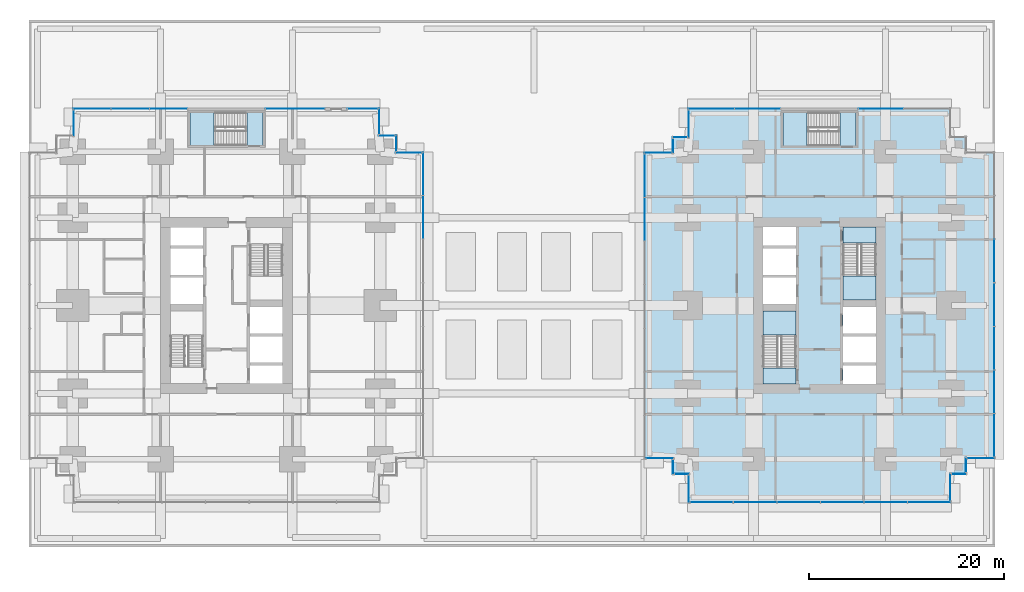
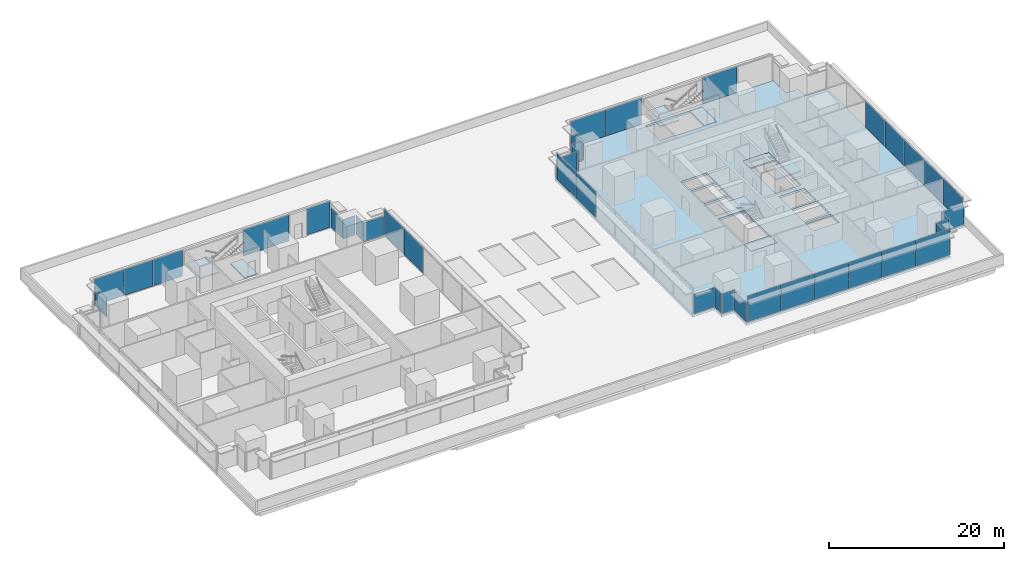
# One storey, part 22 of 34: 40 plates, 9 slabs, 30 elements without a shape of their own.
"""IFC4 building model written with IfcOpenShell, lengths in metres."""

from ifc_helpers import new_model, si_unit, direction, frame, origin, origin_2d, place, context, subcontext, project, spatial, polyline, rectangle, outline, extrude, material, layer, layer_set, type_object, element, aggregate, save


model = new_model("IFC4")

# Units and contexts
model_context = context("Model", 3, precision=1e-05, world=origin(), true_north=direction((0.0, 1.0)))
body_context = subcontext(model_context, "Body", "Model", "MODEL_VIEW")
ifc_project = project(units=[si_unit("LENGTHUNIT", "METRE"), si_unit("AREAUNIT", "SQUARE_METRE"), si_unit("VOLUMEUNIT", "CUBIC_METRE"), si_unit("PLANEANGLEUNIT", "RADIAN"), si_unit("MASSUNIT", "GRAM", prefix="KILO")], contexts=[model_context])

# Site, building, storey
site_placement = place(None, origin())
site = spatial("IfcSite", under=ifc_project, at=site_placement, CompositionType="ELEMENT")
building_placement = place(site_placement, origin())
building = spatial("IfcBuilding", under=site, at=building_placement, Name="Namib Vertical Campus", CompositionType="ELEMENT")
storey_placement = place(building_placement, frame((0.0, 0.0, 21.0)))
storey = spatial("IfcBuildingStorey", under=building, at=storey_placement, Name="L04", CompositionType="ELEMENT", Elevation=21.0)

# Curtain wall, plates
ifc_material_1 = material(Name="Black aluminium curtain wall", Category="aluminium")
ifc_layer_1 = layer(ifc_material_1, 0.199951171875)
ifc_layer_set_1 = layer_set([ifc_layer_1], Name="Lounge curtain wall CW-L4")
curtain_wall_type = type_object("IfcCurtainWallType", Name="Lounge curtain wall CW-L4", PredefinedType="USERDEFINED", material=ifc_layer_set_1)
curtain_wall_1_placement = place(storey_placement, origin())
curtain_wall_1 = element("IfcCurtainWall", 1, at=curtain_wall_1_placement, inside=storey, type_object=curtain_wall_type, Name="Curtain wall CW-L4 L04 F06-1", ObjectType="CURTAIN WALL", PredefinedType="USERDEFINED")
ifc_material_2 = material(Name="Dark tinted glass", Category="glass")
ifc_layer_2 = layer(ifc_material_2, 0.028076171875)
ifc_layer_set_2 = layer_set([ifc_layer_2], Name="Dark solar glass panel 28")
plate_type = type_object("IfcPlateType", Name="Dark solar glass panel 28", PredefinedType="CURTAIN_PANEL", material=ifc_layer_set_2)
plate_1_placement = place(storey_placement, frame((40.39990234375, 29.29296875, 0.06005859375), z_axis=(0.0, 0.0, 1.0), x_axis=(0.0, 1.0, 0.0)))
plate_1 = element("IfcPlate", 2, at=plate_1_placement, type_object=plate_type, Name="CW-L4 panel 6.1", PredefinedType="CURTAIN_PANEL", context=body_context, shape_type="SweptSolid", body=[
    extrude(rectangle(XDim=4.411376953125, YDim=0.028076171875, at=origin_2d()), origin(), (0.0, 0.0, 1.0), 3.6298828125),
])
plate_2_placement = place(storey_placement, frame((40.39990234375, 33.749267578125, 0.06005859375), z_axis=(0.0, 0.0, 1.0), x_axis=(0.0, 1.0, 0.0)))
plate_2 = element("IfcPlate", 3, at=plate_2_placement, type_object=plate_type, Name="CW-L4 panel 7.1", PredefinedType="CURTAIN_PANEL", context=body_context, shape_type="SweptSolid", body=[
    extrude(rectangle(XDim=4.38134765625, YDim=0.028076171875, at=origin_2d()), origin(), (0.0, 0.0, 1.0), 3.6298828125),
])
aggregate(curtain_wall_1, [plate_1, plate_2])

# Curtain wall, plate
curtain_wall_2_placement = place(storey_placement, origin())
curtain_wall_2 = element("IfcCurtainWall", 4, at=curtain_wall_2_placement, inside=storey, type_object=curtain_wall_type, Name="Curtain wall CW-L4 L04 F07-1", ObjectType="CURTAIN WALL", PredefinedType="USERDEFINED")
plate_3_placement = place(storey_placement, frame((38.925048828125, 35.89990234375, 0.06005859375), z_axis=(0.0, 0.0, 1.0), x_axis=(-1.0, 0.0, 0.0)))
plate_3 = element("IfcPlate", 5, at=plate_3_placement, type_object=plate_type, Name="CW-L4 panel 1.1", PredefinedType="CURTAIN_PANEL", context=body_context, shape_type="SweptSolid", body=[
    extrude(rectangle(XDim=2.6298828125, YDim=0.028076171875, at=origin_2d()), origin(), (0.0, 0.0, 1.0), 2.72998046875),
])
aggregate(curtain_wall_2, [plate_3])

curtain_wall_3_placement = place(storey_placement, origin())
curtain_wall_3 = element("IfcCurtainWall", 6, at=curtain_wall_3_placement, inside=storey, type_object=curtain_wall_type, Name="Curtain wall CW-L4 L04 F08-1", ObjectType="CURTAIN WALL", PredefinedType="USERDEFINED")
plate_4_placement = place(storey_placement, frame((37.64990234375, 36.875, 0.06005859375), z_axis=(0.0, 0.0, 1.0), x_axis=(0.0, 1.0, 0.0)))
plate_4 = element("IfcPlate", 7, at=plate_4_placement, type_object=plate_type, Name="CW-L4 panel 1.1", PredefinedType="CURTAIN_PANEL", context=body_context, shape_type="SweptSolid", body=[
    extrude(rectangle(XDim=1.6298828125, YDim=0.028076171875, at=origin_2d()), origin(), (0.0, 0.0, 1.0), 2.72998046875),
])
aggregate(curtain_wall_3, [plate_4])

curtain_wall_4_placement = place(storey_placement, origin())
curtain_wall_4 = element("IfcCurtainWall", 8, at=curtain_wall_4_placement, inside=storey, type_object=curtain_wall_type, Name="Curtain wall CW-L4 L04 F09-1", ObjectType="CURTAIN WALL", PredefinedType="USERDEFINED")
plate_5_placement = place(storey_placement, frame((36.675048828125, 37.64990234375, 0.06005859375), z_axis=(0.0, 0.0, 1.0), x_axis=(-1.0, 0.0, 0.0)))
plate_5 = element("IfcPlate", 9, at=plate_5_placement, type_object=plate_type, Name="CW-L4 panel 1.1", PredefinedType="CURTAIN_PANEL", context=body_context, shape_type="SweptSolid", body=[
    extrude(rectangle(XDim=1.6298828125, YDim=0.028076171875, at=origin_2d()), origin(), (0.0, 0.0, 1.0), 2.72998046875),
])
aggregate(curtain_wall_4, [plate_5])

curtain_wall_5_placement = place(storey_placement, origin())
curtain_wall_5 = element("IfcCurtainWall", 10, at=curtain_wall_5_placement, inside=storey, type_object=curtain_wall_type, Name="Curtain wall CW-L4 L04 F10-1", ObjectType="CURTAIN WALL", PredefinedType="USERDEFINED")
plate_6_placement = place(storey_placement, frame((35.89990234375, 39.125, 0.06005859375), z_axis=(0.0, 0.0, 1.0), x_axis=(0.0, 1.0, 0.0)))
plate_6 = element("IfcPlate", 11, at=plate_6_placement, type_object=plate_type, Name="CW-L4 panel 1.1", PredefinedType="CURTAIN_PANEL", context=body_context, shape_type="SweptSolid", body=[
    extrude(rectangle(XDim=2.6298828125, YDim=0.028076171875, at=origin_2d()), origin(), (0.0, 0.0, 1.0), 2.72998046875),
])
aggregate(curtain_wall_5, [plate_6])

curtain_wall_6_placement = place(storey_placement, origin())
curtain_wall_6 = element("IfcCurtainWall", 12, at=curtain_wall_6_placement, inside=storey, type_object=curtain_wall_type, Name="Curtain wall CW-L4 L04 F11-1", ObjectType="CURTAIN WALL", PredefinedType="USERDEFINED")
plate_7_placement = place(storey_placement, frame((34.21240234375, 40.39990234375, 0.06005859375), z_axis=(0.0, 0.0, 1.0), x_axis=(-1.0, 0.0, 0.0)))
plate_7 = element("IfcPlate", 13, at=plate_7_placement, type_object=plate_type, Name="CW-L4 panel 1.1", PredefinedType="CURTAIN_PANEL", context=body_context, shape_type="SweptSolid", body=[
    extrude(rectangle(XDim=3.054931640625, YDim=0.028076171875, at=origin_2d()), origin(), (0.0, 0.0, 1.0), 3.6298828125),
])
aggregate(curtain_wall_6, [plate_7])

curtain_wall_7_placement = place(storey_placement, origin())
curtain_wall_7 = element("IfcCurtainWall", 14, at=curtain_wall_7_placement, inside=storey, type_object=curtain_wall_type, Name="Curtain wall CW-L4 L04 F11-2", ObjectType="CURTAIN WALL", PredefinedType="USERDEFINED")
plate_8_placement = place(storey_placement, frame((27.28759765625, 40.39990234375, 0.06005859375), z_axis=(0.0, 0.0, 1.0), x_axis=(-1.0, 0.0, 0.0)))
plate_8 = element("IfcPlate", 15, at=plate_8_placement, type_object=plate_type, Name="CW-L4 panel 1.1", PredefinedType="CURTAIN_PANEL", context=body_context, shape_type="SweptSolid", body=[
    extrude(rectangle(XDim=6.054931640625, YDim=0.028076171875, at=origin_2d()), origin(), (0.0, 0.0, 1.0), 3.6298828125),
])
aggregate(curtain_wall_7, [plate_8])

# Curtain wall, plates
curtain_wall_8_placement = place(storey_placement, origin())
curtain_wall_8 = element("IfcCurtainWall", 16, at=curtain_wall_8_placement, inside=storey, type_object=curtain_wall_type, Name="Curtain wall CW-L4 L04 F11-3", ObjectType="CURTAIN WALL", PredefinedType="USERDEFINED")
plate_9_placement = place(storey_placement, frame((14.318359375, 40.39990234375, 0.06005859375), z_axis=(0.0, 0.0, 1.0), x_axis=(-1.0, 0.0, 0.0)))
plate_9 = element("IfcPlate", 17, at=plate_9_placement, type_object=plate_type, Name="CW-L4 panel 1.1", PredefinedType="CURTAIN_PANEL", context=body_context, shape_type="SweptSolid", body=[
    extrude(rectangle(XDim=3.84326171875, YDim=0.028076171875, at=origin_2d()), origin(), (0.0, 0.0, 1.0), 3.6298828125),
])
plate_10_placement = place(storey_placement, frame((10.39990234375, 40.39990234375, 0.06005859375), z_axis=(0.0, 0.0, 1.0), x_axis=(-1.0, 0.0, 0.0)))
plate_10 = element("IfcPlate", 18, at=plate_10_placement, type_object=plate_type, Name="CW-L4 panel 2.1", PredefinedType="CURTAIN_PANEL", context=body_context, shape_type="SweptSolid", body=[
    extrude(rectangle(XDim=3.873291015625, YDim=0.028076171875, at=origin_2d()), origin(), (0.0, 0.0, 1.0), 3.6298828125),
])
plate_11_placement = place(storey_placement, frame((6.481689453125, 40.39990234375, 0.06005859375), z_axis=(0.0, 0.0, 1.0), x_axis=(-1.0, 0.0, 0.0)))
plate_11 = element("IfcPlate", 19, at=plate_11_placement, type_object=plate_type, Name="CW-L4 panel 3.1", PredefinedType="CURTAIN_PANEL", context=body_context, shape_type="SweptSolid", body=[
    extrude(rectangle(XDim=3.84326171875, YDim=0.028076171875, at=origin_2d()), origin(), (0.0, 0.0, 1.0), 3.6298828125),
])
aggregate(curtain_wall_8, [plate_9, plate_10, plate_11])

# Curtain wall, plate
curtain_wall_9_placement = place(storey_placement, origin())
curtain_wall_9 = element("IfcCurtainWall", 20, at=curtain_wall_9_placement, inside=storey, type_object=curtain_wall_type, Name="Curtain wall CW-L4 L04 F12-1", ObjectType="CURTAIN WALL", PredefinedType="USERDEFINED")
plate_12_placement = place(storey_placement, frame((4.60009765625, 38.925048828125, 0.06005859375), z_axis=(0.0, 0.0, 1.0), x_axis=(0.0, -1.0, 0.0)))
plate_12 = element("IfcPlate", 21, at=plate_12_placement, type_object=plate_type, Name="CW-L4 panel 1.1", PredefinedType="CURTAIN_PANEL", context=body_context, shape_type="SweptSolid", body=[
    extrude(rectangle(XDim=2.6298828125, YDim=0.028076171875, at=origin_2d()), origin(), (0.0, 0.0, 1.0), 2.72998046875),
])
aggregate(curtain_wall_9, [plate_12])

# Curtain wall, plates
curtain_wall_10_placement = place(storey_placement, origin())
curtain_wall_10 = element("IfcCurtainWall", 22, at=curtain_wall_10_placement, inside=storey, type_object=curtain_wall_type, Name="Curtain wall CW-L4 L04 F01-1", ObjectType="CURTAIN WALL", PredefinedType="USERDEFINED")
plate_13_placement = place(storey_placement, frame((69.9482421875, 0.10009765625, 0.06005859375), z_axis=(0.0, 0.0, 1.0), x_axis=(1.0, 0.0, 0.0)))
plate_13 = element("IfcPlate", 23, at=plate_13_placement, type_object=plate_type, Name="CW-L4 panel 1.1", PredefinedType="CURTAIN_PANEL", context=body_context, shape_type="SweptSolid", body=[
    extrude(rectangle(XDim=4.376708984375, YDim=0.028076171875, at=origin_2d()), origin(), (0.0, 0.0, 1.0), 3.6298828125),
])
plate_14_placement = place(storey_placement, frame((74.39990234375, 0.10009765625, 0.06005859375), z_axis=(0.0, 0.0, 1.0), x_axis=(1.0, 0.0, 0.0)))
plate_14 = element("IfcPlate", 24, at=plate_14_placement, type_object=plate_type, Name="CW-L4 panel 2.1", PredefinedType="CURTAIN_PANEL", context=body_context, shape_type="SweptSolid", body=[
    extrude(rectangle(XDim=4.40673828125, YDim=0.028076171875, at=origin_2d()), origin(), (0.0, 0.0, 1.0), 3.6298828125),
])
plate_15_placement = place(storey_placement, frame((78.86669921875, 0.10009765625, 0.06005859375), z_axis=(0.0, 0.0, 1.0), x_axis=(1.0, 0.0, 0.0)))
plate_15 = element("IfcPlate", 25, at=plate_15_placement, type_object=plate_type, Name="CW-L4 panel 3.1", PredefinedType="CURTAIN_PANEL", context=body_context, shape_type="SweptSolid", body=[
    extrude(rectangle(XDim=4.40673828125, YDim=0.028076171875, at=origin_2d()), origin(), (0.0, 0.0, 1.0), 3.6298828125),
])
plate_16_placement = place(storey_placement, frame((83.333251953125, 0.10009765625, 0.06005859375), z_axis=(0.0, 0.0, 1.0), x_axis=(1.0, 0.0, 0.0)))
plate_16 = element("IfcPlate", 26, at=plate_16_placement, type_object=plate_type, Name="CW-L4 panel 4.1", PredefinedType="CURTAIN_PANEL", context=body_context, shape_type="SweptSolid", body=[
    extrude(rectangle(XDim=4.40673828125, YDim=0.028076171875, at=origin_2d()), origin(), (0.0, 0.0, 1.0), 3.6298828125),
])
plate_17_placement = place(storey_placement, frame((87.800048828125, 0.10009765625, 0.06005859375), z_axis=(0.0, 0.0, 1.0), x_axis=(1.0, 0.0, 0.0)))
plate_17 = element("IfcPlate", 27, at=plate_17_placement, type_object=plate_type, Name="CW-L4 panel 5.1", PredefinedType="CURTAIN_PANEL", context=body_context, shape_type="SweptSolid", body=[
    extrude(rectangle(XDim=4.40673828125, YDim=0.028076171875, at=origin_2d()), origin(), (0.0, 0.0, 1.0), 3.6298828125),
])
plate_18_placement = place(storey_placement, frame((92.251708984375, 0.10009765625, 0.06005859375), z_axis=(0.0, 0.0, 1.0), x_axis=(1.0, 0.0, 0.0)))
plate_18 = element("IfcPlate", 28, at=plate_18_placement, type_object=plate_type, Name="CW-L4 panel 6.1", PredefinedType="CURTAIN_PANEL", context=body_context, shape_type="SweptSolid", body=[
    extrude(rectangle(XDim=4.376708984375, YDim=0.028076171875, at=origin_2d()), origin(), (0.0, 0.0, 1.0), 3.6298828125),
])
aggregate(curtain_wall_10, [plate_13, plate_14, plate_15, plate_16, plate_17, plate_18])

# Curtain wall, plate
curtain_wall_11_placement = place(storey_placement, origin())
curtain_wall_11 = element("IfcCurtainWall", 29, at=curtain_wall_11_placement, inside=storey, type_object=curtain_wall_type, Name="Curtain wall CW-L4 L04 F02-1", ObjectType="CURTAIN WALL", PredefinedType="USERDEFINED")
plate_19_placement = place(storey_placement, frame((94.39990234375, 1.64990234375, 0.06005859375), z_axis=(0.0, 0.0, 1.0), x_axis=(0.0, 1.0, 0.0)))
plate_19 = element("IfcPlate", 30, at=plate_19_placement, type_object=plate_type, Name="CW-L4 panel 1.1", PredefinedType="CURTAIN_PANEL", context=body_context, shape_type="SweptSolid", body=[
    extrude(rectangle(XDim=2.780029296875, YDim=0.028076171875, at=origin_2d()), origin(), (0.0, 0.0, 1.0), 2.72998046875),
])
aggregate(curtain_wall_11, [plate_19])

curtain_wall_12_placement = place(storey_placement, origin())
curtain_wall_12 = element("IfcCurtainWall", 31, at=curtain_wall_12_placement, inside=storey, type_object=curtain_wall_type, Name="Curtain wall CW-L4 L04 F03-1", ObjectType="CURTAIN WALL", PredefinedType="USERDEFINED")
plate_20_placement = place(storey_placement, frame((95.300048828125, 3.0, 0.06005859375), z_axis=(0.0, 0.0, 1.0), x_axis=(1.0, 0.0, 0.0)))
plate_20 = element("IfcPlate", 32, at=plate_20_placement, type_object=plate_type, Name="CW-L4 panel 1.1", PredefinedType="CURTAIN_PANEL", context=body_context, shape_type="SweptSolid", body=[
    extrude(rectangle(XDim=1.47998046875, YDim=0.028076171875, at=origin_2d()), origin(), (0.0, 0.0, 1.0), 2.72998046875),
])
aggregate(curtain_wall_12, [plate_20])

curtain_wall_13_placement = place(storey_placement, origin())
curtain_wall_13 = element("IfcCurtainWall", 33, at=curtain_wall_13_placement, inside=storey, type_object=curtain_wall_type, Name="Curtain wall CW-L4 L04 F04-1", ObjectType="CURTAIN WALL", PredefinedType="USERDEFINED")
plate_21_placement = place(storey_placement, frame((96.0, 3.89990234375, 0.06005859375), z_axis=(0.0, 0.0, 1.0), x_axis=(0.0, 1.0, 0.0)))
plate_21 = element("IfcPlate", 34, at=plate_21_placement, type_object=plate_type, Name="CW-L4 panel 1.1", PredefinedType="CURTAIN_PANEL", context=body_context, shape_type="SweptSolid", body=[
    extrude(rectangle(XDim=1.47998046875, YDim=0.028076171875, at=origin_2d()), origin(), (0.0, 0.0, 1.0), 2.72998046875),
])
aggregate(curtain_wall_13, [plate_21])

curtain_wall_14_placement = place(storey_placement, origin())
curtain_wall_14 = element("IfcCurtainWall", 35, at=curtain_wall_14_placement, inside=storey, type_object=curtain_wall_type, Name="Curtain wall CW-L4 L04 F05-1", ObjectType="CURTAIN WALL", PredefinedType="USERDEFINED")
plate_22_placement = place(storey_placement, frame((97.550048828125, 4.60009765625, 0.06005859375), z_axis=(0.0, 0.0, 1.0), x_axis=(1.0, 0.0, 0.0)))
plate_22 = element("IfcPlate", 36, at=plate_22_placement, type_object=plate_type, Name="CW-L4 panel 1.1", PredefinedType="CURTAIN_PANEL", context=body_context, shape_type="SweptSolid", body=[
    extrude(rectangle(XDim=2.780029296875, YDim=0.028076171875, at=origin_2d()), origin(), (0.0, 0.0, 1.0), 2.72998046875),
])
aggregate(curtain_wall_14, [plate_22])

# Curtain wall, plates
curtain_wall_15_placement = place(storey_placement, origin())
curtain_wall_15 = element("IfcCurtainWall", 37, at=curtain_wall_15_placement, inside=storey, type_object=curtain_wall_type, Name="Curtain wall CW-L4 L04 F06-1", ObjectType="CURTAIN WALL", PredefinedType="USERDEFINED")
plate_23_placement = place(storey_placement, frame((98.89990234375, 6.95068359375, 0.06005859375), z_axis=(0.0, 0.0, 1.0), x_axis=(0.0, 1.0, 0.0)))
plate_23 = element("IfcPlate", 38, at=plate_23_placement, type_object=plate_type, Name="CW-L4 panel 1.1", PredefinedType="CURTAIN_PANEL", context=body_context, shape_type="SweptSolid", body=[
    extrude(rectangle(XDim=4.38134765625, YDim=0.028076171875, at=origin_2d()), origin(), (0.0, 0.0, 1.0), 3.6298828125),
])
plate_24_placement = place(storey_placement, frame((98.89990234375, 11.4072265625, 0.06005859375), z_axis=(0.0, 0.0, 1.0), x_axis=(0.0, 1.0, 0.0)))
plate_24 = element("IfcPlate", 39, at=plate_24_placement, type_object=plate_type, Name="CW-L4 panel 2.1", PredefinedType="CURTAIN_PANEL", context=body_context, shape_type="SweptSolid", body=[
    extrude(rectangle(XDim=4.411376953125, YDim=0.028076171875, at=origin_2d()), origin(), (0.0, 0.0, 1.0), 3.6298828125),
])
plate_25_placement = place(storey_placement, frame((98.89990234375, 15.878662109375, 0.06005859375), z_axis=(0.0, 0.0, 1.0), x_axis=(0.0, 1.0, 0.0)))
plate_25 = element("IfcPlate", 40, at=plate_25_placement, type_object=plate_type, Name="CW-L4 panel 3.1", PredefinedType="CURTAIN_PANEL", context=body_context, shape_type="SweptSolid", body=[
    extrude(rectangle(XDim=4.411376953125, YDim=0.028076171875, at=origin_2d()), origin(), (0.0, 0.0, 1.0), 3.6298828125),
])
plate_26_placement = place(storey_placement, frame((98.89990234375, 20.35009765625, 0.06005859375), z_axis=(0.0, 0.0, 1.0), x_axis=(0.0, 1.0, 0.0)))
plate_26 = element("IfcPlate", 41, at=plate_26_placement, type_object=plate_type, Name="CW-L4 panel 4.1", PredefinedType="CURTAIN_PANEL", context=body_context, shape_type="SweptSolid", body=[
    extrude(rectangle(XDim=4.411376953125, YDim=0.028076171875, at=origin_2d()), origin(), (0.0, 0.0, 1.0), 3.6298828125),
])
plate_27_placement = place(storey_placement, frame((98.89990234375, 24.821533203125, 0.06005859375), z_axis=(0.0, 0.0, 1.0), x_axis=(0.0, 1.0, 0.0)))
plate_27 = element("IfcPlate", 42, at=plate_27_placement, type_object=plate_type, Name="CW-L4 panel 5.1", PredefinedType="CURTAIN_PANEL", context=body_context, shape_type="SweptSolid", body=[
    extrude(rectangle(XDim=4.411376953125, YDim=0.028076171875, at=origin_2d()), origin(), (0.0, 0.0, 1.0), 3.6298828125),
])
aggregate(curtain_wall_15, [plate_23, plate_24, plate_25, plate_26, plate_27])

# Curtain wall, plate
curtain_wall_16_placement = place(storey_placement, origin())
curtain_wall_16 = element("IfcCurtainWall", 43, at=curtain_wall_16_placement, inside=storey, type_object=curtain_wall_type, Name="Curtain wall CW-L4 L04 F11-1", ObjectType="CURTAIN WALL", PredefinedType="USERDEFINED")
plate_28_placement = place(storey_placement, frame((87.302490234375, 40.39990234375, 0.06005859375), z_axis=(0.0, 0.0, 1.0), x_axis=(-1.0, 0.0, 0.0)))
plate_28 = element("IfcPlate", 44, at=plate_28_placement, type_object=plate_type, Name="CW-L4 panel 2.1", PredefinedType="CURTAIN_PANEL", context=body_context, shape_type="SweptSolid", body=[
    extrude(rectangle(XDim=4.5849609375, YDim=0.028076171875, at=origin_2d()), origin(), (0.0, 0.0, 1.0), 3.6298828125),
])
aggregate(curtain_wall_16, [plate_28])

# Curtain wall, plates
curtain_wall_17_placement = place(storey_placement, origin())
curtain_wall_17 = element("IfcCurtainWall", 45, at=curtain_wall_17_placement, inside=storey, type_object=curtain_wall_type, Name="Curtain wall CW-L4 L04 F11-2", ObjectType="CURTAIN WALL", PredefinedType="USERDEFINED")
plate_29_placement = place(storey_placement, frame((74.6474609375, 40.39990234375, 0.06005859375), z_axis=(0.0, 0.0, 1.0), x_axis=(-1.0, 0.0, 0.0)))
plate_29 = element("IfcPlate", 46, at=plate_29_placement, type_object=plate_type, Name="CW-L4 panel 1.1", PredefinedType="CURTAIN_PANEL", context=body_context, shape_type="SweptSolid", body=[
    extrude(rectangle(XDim=4.68505859375, YDim=0.028076171875, at=origin_2d()), origin(), (0.0, 0.0, 1.0), 3.6298828125),
])
plate_30_placement = place(storey_placement, frame((69.902587890625, 40.39990234375, 0.06005859375), z_axis=(0.0, 0.0, 1.0), x_axis=(-1.0, 0.0, 0.0)))
plate_30 = element("IfcPlate", 47, at=plate_30_placement, type_object=plate_type, Name="CW-L4 panel 2.1", PredefinedType="CURTAIN_PANEL", context=body_context, shape_type="SweptSolid", body=[
    extrude(rectangle(XDim=4.68505859375, YDim=0.028076171875, at=origin_2d()), origin(), (0.0, 0.0, 1.0), 3.6298828125),
])
aggregate(curtain_wall_17, [plate_29, plate_30])

# Curtain wall, plate
curtain_wall_18_placement = place(storey_placement, origin())
curtain_wall_18 = element("IfcCurtainWall", 48, at=curtain_wall_18_placement, inside=storey, type_object=curtain_wall_type, Name="Curtain wall CW-L4 L04 F12-1", ObjectType="CURTAIN WALL", PredefinedType="USERDEFINED")
plate_31_placement = place(storey_placement, frame((67.60009765625, 38.85009765625, 0.06005859375), z_axis=(0.0, 0.0, 1.0), x_axis=(0.0, -1.0, 0.0)))
plate_31 = element("IfcPlate", 49, at=plate_31_placement, type_object=plate_type, Name="CW-L4 panel 1.1", PredefinedType="CURTAIN_PANEL", context=body_context, shape_type="SweptSolid", body=[
    extrude(rectangle(XDim=2.780029296875, YDim=0.028076171875, at=origin_2d()), origin(), (0.0, 0.0, 1.0), 2.72998046875),
])
aggregate(curtain_wall_18, [plate_31])

curtain_wall_19_placement = place(storey_placement, origin())
curtain_wall_19 = element("IfcCurtainWall", 50, at=curtain_wall_19_placement, inside=storey, type_object=curtain_wall_type, Name="Curtain wall CW-L4 L04 F13-1", ObjectType="CURTAIN WALL", PredefinedType="USERDEFINED")
plate_32_placement = place(storey_placement, frame((66.699951171875, 37.5, 0.06005859375), z_axis=(0.0, 0.0, 1.0), x_axis=(-1.0, 0.0, 0.0)))
plate_32 = element("IfcPlate", 51, at=plate_32_placement, type_object=plate_type, Name="CW-L4 panel 1.1", PredefinedType="CURTAIN_PANEL", context=body_context, shape_type="SweptSolid", body=[
    extrude(rectangle(XDim=1.47998046875, YDim=0.028076171875, at=origin_2d()), origin(), (0.0, 0.0, 1.0), 2.72998046875),
])
aggregate(curtain_wall_19, [plate_32])

curtain_wall_20_placement = place(storey_placement, origin())
curtain_wall_20 = element("IfcCurtainWall", 52, at=curtain_wall_20_placement, inside=storey, type_object=curtain_wall_type, Name="Curtain wall CW-L4 L04 F14-1", ObjectType="CURTAIN WALL", PredefinedType="USERDEFINED")
plate_33_placement = place(storey_placement, frame((66.0, 36.60009765625, 0.06005859375), z_axis=(0.0, 0.0, 1.0), x_axis=(0.0, -1.0, 0.0)))
plate_33 = element("IfcPlate", 53, at=plate_33_placement, type_object=plate_type, Name="CW-L4 panel 1.1", PredefinedType="CURTAIN_PANEL", context=body_context, shape_type="SweptSolid", body=[
    extrude(rectangle(XDim=1.47998046875, YDim=0.028076171875, at=origin_2d()), origin(), (0.0, 0.0, 1.0), 2.72998046875),
])
aggregate(curtain_wall_20, [plate_33])

curtain_wall_21_placement = place(storey_placement, origin())
curtain_wall_21 = element("IfcCurtainWall", 54, at=curtain_wall_21_placement, inside=storey, type_object=curtain_wall_type, Name="Curtain wall CW-L4 L04 F15-1", ObjectType="CURTAIN WALL", PredefinedType="USERDEFINED")
plate_34_placement = place(storey_placement, frame((64.449951171875, 35.89990234375, 0.06005859375), z_axis=(0.0, 0.0, 1.0), x_axis=(-1.0, 0.0, 0.0)))
plate_34 = element("IfcPlate", 55, at=plate_34_placement, type_object=plate_type, Name="CW-L4 panel 1.1", PredefinedType="CURTAIN_PANEL", context=body_context, shape_type="SweptSolid", body=[
    extrude(rectangle(XDim=2.780029296875, YDim=0.028076171875, at=origin_2d()), origin(), (0.0, 0.0, 1.0), 2.72998046875),
])
aggregate(curtain_wall_21, [plate_34])

# Curtain wall, plates
curtain_wall_22_placement = place(storey_placement, origin())
curtain_wall_22 = element("IfcCurtainWall", 56, at=curtain_wall_22_placement, inside=storey, type_object=curtain_wall_type, Name="Curtain wall CW-L4 L04 F16-1", ObjectType="CURTAIN WALL", PredefinedType="USERDEFINED")
plate_35_placement = place(storey_placement, frame((63.10009765625, 33.54931640625, 0.06005859375), z_axis=(0.0, 0.0, 1.0), x_axis=(0.0, -1.0, 0.0)))
plate_35 = element("IfcPlate", 57, at=plate_35_placement, type_object=plate_type, Name="CW-L4 panel 1.1", PredefinedType="CURTAIN_PANEL", context=body_context, shape_type="SweptSolid", body=[
    extrude(rectangle(XDim=4.38134765625, YDim=0.028076171875, at=origin_2d()), origin(), (0.0, 0.0, 1.0), 3.6298828125),
])
plate_36_placement = place(storey_placement, frame((63.10009765625, 29.0927734375, 0.06005859375), z_axis=(0.0, 0.0, 1.0), x_axis=(0.0, -1.0, 0.0)))
plate_36 = element("IfcPlate", 58, at=plate_36_placement, type_object=plate_type, Name="CW-L4 panel 2.1", PredefinedType="CURTAIN_PANEL", context=body_context, shape_type="SweptSolid", body=[
    extrude(rectangle(XDim=4.411376953125, YDim=0.028076171875, at=origin_2d()), origin(), (0.0, 0.0, 1.0), 3.6298828125),
])
aggregate(curtain_wall_22, [plate_35, plate_36])

# Curtain wall, plate
curtain_wall_23_placement = place(storey_placement, origin())
curtain_wall_23 = element("IfcCurtainWall", 59, at=curtain_wall_23_placement, inside=storey, type_object=curtain_wall_type, Name="Curtain wall CW-L4 L04 F17-1", ObjectType="CURTAIN WALL", PredefinedType="USERDEFINED")
plate_37_placement = place(storey_placement, frame((64.64990234375, 4.60009765625, 0.06005859375), z_axis=(0.0, 0.0, 1.0), x_axis=(1.0, 0.0, 0.0)))
plate_37 = element("IfcPlate", 60, at=plate_37_placement, type_object=plate_type, Name="CW-L4 panel 1.1", PredefinedType="CURTAIN_PANEL", context=body_context, shape_type="SweptSolid", body=[
    extrude(rectangle(XDim=2.780029296875, YDim=0.028076171875, at=origin_2d()), origin(), (0.0, 0.0, 1.0), 2.72998046875),
])
aggregate(curtain_wall_23, [plate_37])

curtain_wall_24_placement = place(storey_placement, origin())
curtain_wall_24 = element("IfcCurtainWall", 61, at=curtain_wall_24_placement, inside=storey, type_object=curtain_wall_type, Name="Curtain wall CW-L4 L04 F18-1", ObjectType="CURTAIN WALL", PredefinedType="USERDEFINED")
plate_38_placement = place(storey_placement, frame((66.0, 3.699951171875, 0.06005859375), z_axis=(0.0, 0.0, 1.0), x_axis=(0.0, -1.0, 0.0)))
plate_38 = element("IfcPlate", 62, at=plate_38_placement, type_object=plate_type, Name="CW-L4 panel 1.1", PredefinedType="CURTAIN_PANEL", context=body_context, shape_type="SweptSolid", body=[
    extrude(rectangle(XDim=1.47998046875, YDim=0.028076171875, at=origin_2d()), origin(), (0.0, 0.0, 1.0), 2.72998046875),
])
aggregate(curtain_wall_24, [plate_38])

curtain_wall_25_placement = place(storey_placement, origin())
curtain_wall_25 = element("IfcCurtainWall", 63, at=curtain_wall_25_placement, inside=storey, type_object=curtain_wall_type, Name="Curtain wall CW-L4 L04 F19-1", ObjectType="CURTAIN WALL", PredefinedType="USERDEFINED")
plate_39_placement = place(storey_placement, frame((66.89990234375, 3.0, 0.06005859375), z_axis=(0.0, 0.0, 1.0), x_axis=(1.0, 0.0, 0.0)))
plate_39 = element("IfcPlate", 64, at=plate_39_placement, type_object=plate_type, Name="CW-L4 panel 1.1", PredefinedType="CURTAIN_PANEL", context=body_context, shape_type="SweptSolid", body=[
    extrude(rectangle(XDim=1.47998046875, YDim=0.028076171875, at=origin_2d()), origin(), (0.0, 0.0, 1.0), 2.72998046875),
])
aggregate(curtain_wall_25, [plate_39])

curtain_wall_26_placement = place(storey_placement, origin())
curtain_wall_26 = element("IfcCurtainWall", 65, at=curtain_wall_26_placement, inside=storey, type_object=curtain_wall_type, Name="Curtain wall CW-L4 L04 F20-1", ObjectType="CURTAIN WALL", PredefinedType="USERDEFINED")
plate_40_placement = place(storey_placement, frame((67.60009765625, 1.449951171875, 0.06005859375), z_axis=(0.0, 0.0, 1.0), x_axis=(0.0, -1.0, 0.0)))
plate_40 = element("IfcPlate", 66, at=plate_40_placement, type_object=plate_type, Name="CW-L4 panel 1.1", PredefinedType="CURTAIN_PANEL", context=body_context, shape_type="SweptSolid", body=[
    extrude(rectangle(XDim=2.780029296875, YDim=0.028076171875, at=origin_2d()), origin(), (0.0, 0.0, 1.0), 2.72998046875),
])
aggregate(curtain_wall_26, [plate_40])

# Slab
ifc_material_3 = material(Name="Concrete C40/50", Category="concrete")
ifc_layer_3 = layer(ifc_material_3, 0.300048828125)
ifc_layer_set_3 = layer_set([ifc_layer_3], Name="Concrete C40/50")
slab_type_1 = type_object("IfcSlabType", Name="Floor slab 300", PredefinedType="FLOOR", material=ifc_layer_set_3)
slab_1_placement = place(storey_placement, frame((0.0, 0.0, -0.300048828125)))
element("IfcSlab", 67, at=slab_1_placement, inside=storey, type_object=slab_type_1, Name="Floor slab B L04", PredefinedType="FLOOR", context=body_context, shape_type="SweptSolid", body=[
    extrude(outline(polyline([(67.5, 0.0), (94.5, 0.0), (94.5, 2.89990234375), (96.10009765625, 2.89990234375), (96.10009765625, 4.5), (99.0, 4.5), (99.0, 36.0), (96.10009765625, 36.0), (96.10009765625, 37.60009765625), (94.5, 37.60009765625), (94.5, 40.5), (67.5, 40.5), (67.5, 37.60009765625), (65.89990234375, 37.60009765625), (65.89990234375, 36.0), (63.0, 36.0), (63.0, 4.5), (65.89990234375, 4.5), (65.89990234375, 2.89990234375), (67.5, 2.89990234375), (67.5, 0.0)]), holes=[polyline([(75.199951171875, 12.199951171875), (78.60009765625, 12.199951171875), (78.60009765625, 19.699951171875), (75.199951171875, 19.699951171875), (75.199951171875, 12.199951171875)]), polyline([(83.39990234375, 20.800048828125), (86.800048828125, 20.800048828125), (86.800048828125, 28.300048828125), (83.39990234375, 28.300048828125), (83.39990234375, 20.800048828125)]), polyline([(83.39990234375, 12.199951171875), (86.800048828125, 12.199951171875), (86.800048828125, 14.10009765625), (83.39990234375, 14.10009765625), (83.39990234375, 12.199951171875)]), polyline([(75.199951171875, 20.39990234375), (78.60009765625, 20.39990234375), (78.60009765625, 23.10009765625), (75.199951171875, 23.10009765625), (75.199951171875, 20.39990234375)]), polyline([(75.199951171875, 23.39990234375), (78.60009765625, 23.39990234375), (78.60009765625, 26.10009765625), (75.199951171875, 26.10009765625), (75.199951171875, 23.39990234375)]), polyline([(75.199951171875, 26.39990234375), (78.60009765625, 26.39990234375), (78.60009765625, 28.300048828125), (75.199951171875, 28.300048828125), (75.199951171875, 26.39990234375)]), polyline([(83.39990234375, 14.39990234375), (86.800048828125, 14.39990234375), (86.800048828125, 17.10009765625), (83.39990234375, 17.10009765625), (83.39990234375, 14.39990234375)]), polyline([(83.39990234375, 17.39990234375), (86.800048828125, 17.39990234375), (86.800048828125, 20.10009765625), (83.39990234375, 20.10009765625), (83.39990234375, 17.39990234375)]), polyline([(77.25, 36.60009765625), (84.75, 36.60009765625), (84.75, 40.0), (77.25, 40.0), (77.25, 36.60009765625)])]), origin(), (0.0, 0.0, 1.0), 0.300048828125),
])

# Stair, slabs
ifc_material_4 = material(Name="Concrete C40/50 precast", Category="concrete")
stair_type_1 = type_object("IfcStairType", Name="Exit stair 4000 rise 24 risers 3400 wide", PredefinedType="HALF_TURN_STAIR", material=ifc_material_4)
stair_1_placement = place(storey_placement, origin())
stair_1 = element("IfcStair", 68, at=stair_1_placement, inside=storey, type_object=stair_type_1, Name="Exit stair B-S1 L04", PredefinedType="HALF_TURN_STAIR")
ifc_material_5 = material(Name="Concrete C40/50", Category="concrete")
ifc_layer_4 = layer(ifc_material_5, 0.199951171875)
ifc_layer_set_4 = layer_set([ifc_layer_4], Name="Concrete C40/50")
slab_type_2 = type_object("IfcSlabType", Name="Stair landing 200", PredefinedType="LANDING", material=ifc_layer_set_4)
slab_2_placement = place(storey_placement, frame((0.0, 0.0, -0.199951171875)))
slab_2 = element("IfcSlab", 69, at=slab_2_placement, type_object=slab_type_2, Name="B-S1 landing 1", PredefinedType="LANDING", context=body_context, shape_type="SweptSolid", body=[
    extrude(outline(polyline([(75.199951171875, 12.199951171875), (78.60009765625, 12.199951171875), (78.60009765625, 13.85400390625), (75.199951171875, 13.85400390625), (75.199951171875, 12.199951171875)])), origin(), (0.0, 0.0, 1.0), 0.199951171875),
])
slab_3_placement = place(storey_placement, frame((0.0, 0.0, 1.800048828125)))
slab_3 = element("IfcSlab", 70, at=slab_3_placement, type_object=slab_type_2, Name="B-S1 landing 2", PredefinedType="LANDING", context=body_context, shape_type="SweptSolid", body=[
    extrude(outline(polyline([(75.199951171875, 17.22607421875), (78.60009765625, 17.22607421875), (78.60009765625, 19.699951171875), (75.199951171875, 19.699951171875), (75.199951171875, 17.22607421875)])), origin(), (0.0, 0.0, 1.0), 0.199951171875),
])
aggregate(stair_1, [slab_2, slab_3])

stair_2_placement = place(storey_placement, origin())
stair_2 = element("IfcStair", 71, at=stair_2_placement, inside=storey, type_object=stair_type_1, Name="Exit stair B-S2 L04", PredefinedType="HALF_TURN_STAIR")
slab_4_placement = place(storey_placement, frame((0.0, 0.0, -0.199951171875)))
slab_4 = element("IfcSlab", 72, at=slab_4_placement, type_object=slab_type_2, Name="B-S2 landing 1", PredefinedType="LANDING", context=body_context, shape_type="SweptSolid", body=[
    extrude(outline(polyline([(83.39990234375, 26.64599609375), (86.800048828125, 26.64599609375), (86.800048828125, 28.300048828125), (83.39990234375, 28.300048828125), (83.39990234375, 26.64599609375)])), origin(), (0.0, 0.0, 1.0), 0.199951171875),
])
slab_5_placement = place(storey_placement, frame((0.0, 0.0, 1.800048828125)))
slab_5 = element("IfcSlab", 73, at=slab_5_placement, type_object=slab_type_2, Name="B-S2 landing 2", PredefinedType="LANDING", context=body_context, shape_type="SweptSolid", body=[
    extrude(outline(polyline([(83.39990234375, 20.800048828125), (86.800048828125, 20.800048828125), (86.800048828125, 23.27392578125), (83.39990234375, 23.27392578125), (83.39990234375, 20.800048828125)])), origin(), (0.0, 0.0, 1.0), 0.199951171875),
])
aggregate(stair_2, [slab_4, slab_5])

ifc_material_6 = material(Name="Concrete C40/50 precast", Category="concrete")
stair_type_2 = type_object("IfcStairType", Name="Exit stair 4000 rise 24 risers 3350 wide", PredefinedType="HALF_TURN_STAIR", material=ifc_material_6)
stair_3_placement = place(storey_placement, origin())
stair_3 = element("IfcStair", 74, at=stair_3_placement, inside=storey, type_object=stair_type_2, Name="Exit stair A-S3 L04", PredefinedType="HALF_TURN_STAIR")
slab_6_placement = place(storey_placement, frame((0.0, 0.0, -0.199951171875)))
slab_6 = element("IfcSlab", 75, at=slab_6_placement, type_object=slab_type_2, Name="A-S3 landing 1", PredefinedType="LANDING", context=body_context, shape_type="SweptSolid", body=[
    extrude(outline(polyline([(22.34619140625, 36.64990234375), (22.34619140625, 40.0), (24.0, 40.0), (24.0, 36.64990234375), (22.34619140625, 36.64990234375)])), origin(), (0.0, 0.0, 1.0), 0.199951171875),
])
slab_7_placement = place(storey_placement, frame((0.0, 0.0, 1.800048828125)))
slab_7 = element("IfcSlab", 76, at=slab_7_placement, type_object=slab_type_2, Name="A-S3 landing 2", PredefinedType="LANDING", context=body_context, shape_type="SweptSolid", body=[
    extrude(outline(polyline([(16.5, 36.64990234375), (16.5, 40.0), (18.973876953125, 40.0), (18.973876953125, 36.64990234375), (16.5, 36.64990234375)])), origin(), (0.0, 0.0, 1.0), 0.199951171875),
])
aggregate(stair_3, [slab_6, slab_7])

stair_4_placement = place(storey_placement, origin())
stair_4 = element("IfcStair", 77, at=stair_4_placement, inside=storey, type_object=stair_type_1, Name="Exit stair B-S3 L04", PredefinedType="HALF_TURN_STAIR")
slab_8_placement = place(storey_placement, frame((0.0, 0.0, -0.199951171875)))
slab_8 = element("IfcSlab", 78, at=slab_8_placement, type_object=slab_type_2, Name="B-S3 landing 1", PredefinedType="LANDING", context=body_context, shape_type="SweptSolid", body=[
    extrude(outline(polyline([(83.09619140625, 36.60009765625), (83.09619140625, 40.0), (84.75, 40.0), (84.75, 36.60009765625), (83.09619140625, 36.60009765625)])), origin(), (0.0, 0.0, 1.0), 0.199951171875),
])
slab_9_placement = place(storey_placement, frame((0.0, 0.0, 1.800048828125)))
slab_9 = element("IfcSlab", 79, at=slab_9_placement, type_object=slab_type_2, Name="B-S3 landing 2", PredefinedType="LANDING", context=body_context, shape_type="SweptSolid", body=[
    extrude(outline(polyline([(77.25, 36.60009765625), (77.25, 40.0), (79.723876953125, 40.0), (79.723876953125, 36.60009765625), (77.25, 36.60009765625)])), origin(), (0.0, 0.0, 1.0), 0.199951171875),
])
aggregate(stair_4, [slab_8, slab_9])

save(model, "model.ifc")
